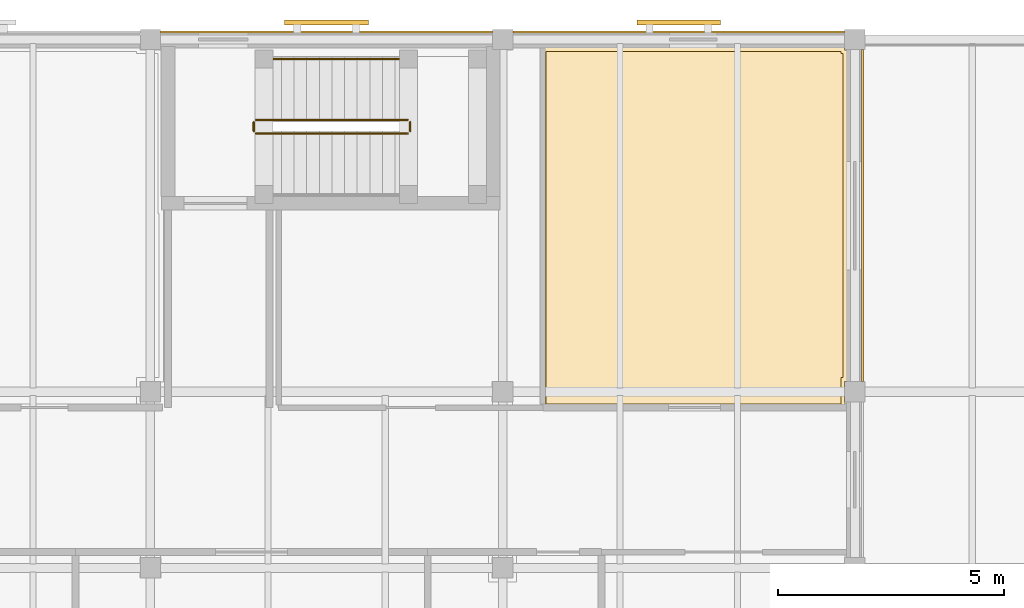
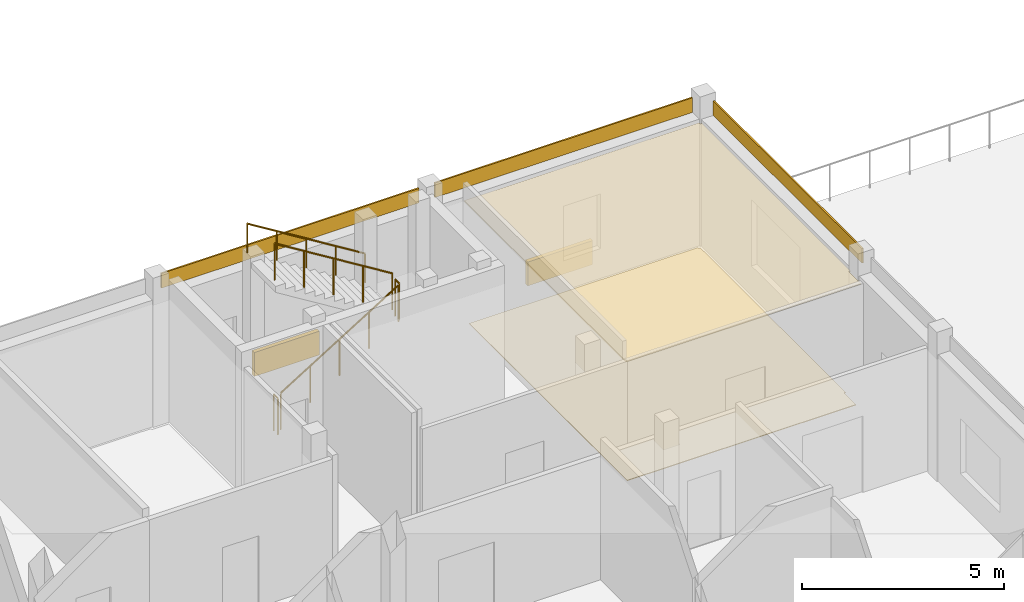
# One storey, part 44 of 45: 5 coverings, 5 railings, 2 shading devices.
"""IFC4 building model written with IfcOpenShell, lengths in metres."""

from ifc_helpers import new_model, si_unit, direction, frame, origin, origin_2d, place, context, subcontext, project, spatial, polyline, rectangle, circle, outline, extrude, material, layer, layer_set, type_object, element, save


model = new_model("IFC4")

# Units and contexts
model_context = context("Model", 3, precision=1e-05, world=origin(), true_north=direction((0.0, 1.0)))
body_context = subcontext(model_context, "Body", "Model", "MODEL_VIEW")
ifc_project = project(units=[si_unit("LENGTHUNIT", "METRE"), si_unit("AREAUNIT", "SQUARE_METRE"), si_unit("VOLUMEUNIT", "CUBIC_METRE"), si_unit("PLANEANGLEUNIT", "RADIAN"), si_unit("MASSUNIT", "GRAM", prefix="KILO")], contexts=[model_context])

# Site, building, storey
site_placement = place(None, origin())
site = spatial("IfcSite", under=ifc_project, at=site_placement, CompositionType="ELEMENT")
building_placement = place(site_placement, origin())
building = spatial("IfcBuilding", under=site, at=building_placement, Name="Celorna Specialist Clinic", CompositionType="ELEMENT")
storey_placement = place(building_placement, frame((0.0, 0.0, 18.60009765625)))
storey = spatial("IfcBuildingStorey", under=building, at=storey_placement, Name="L04", CompositionType="ELEMENT", Elevation=18.60009765625)

# Coverings
ifc_material_1 = material(Name="Hygienic acoustic mineral-fibre ceiling")
ifc_layer_1 = layer(ifc_material_1, 0.030029296875, Name="Hygienic acoustic mineral-fibre ceiling")
ifc_layer_set_1 = layer_set([ifc_layer_1], Name="Hygienic acoustic mineral-fibre ceiling")
covering_type_1 = type_object("IfcCoveringType", Name="CE-01", PredefinedType="CEILING", material=ifc_layer_set_1)
covering_1_placement = place(storey_placement, frame((0.0, 0.0, 3.669921875)))
element("IfcCovering", 1, at=covering_1_placement, inside=storey, type_object=covering_type_1, Name="Acoustic ceiling L04-020", PredefinedType="CEILING", context=body_context, shape_type="SweptSolid", body=[
    extrude(outline(polyline([(93.3701171875, 115.824951171875), (93.3701171875, 115.77001953125), (93.425048828125, 115.77001953125), (93.425048828125, 108.429931640625), (93.3701171875, 108.429931640625), (93.3701171875, 107.969970703125), (93.3798828125, 107.969970703125), (93.3798828125, 107.8349609375), (86.675048828125, 107.8349609375), (86.675048828125, 115.824951171875), (93.3701171875, 115.824951171875)])), origin(), (0.0, 0.0, 1.0), 0.030029296875),
])
ifc_material_2 = material(Name="Pero Pinheiro Lioz limestone rainscreen cladding", Category="masonry")
ifc_layer_2 = layer(ifc_material_2, 0.044921875, Name="Pero Pinheiro Lioz limestone rainscreen cladding")
ifc_layer_set_2 = layer_set([ifc_layer_2], Name="Pero Pinheiro Lioz limestone rainscreen cladding")
covering_type_2 = type_object("IfcCoveringType", Name="CL-01", PredefinedType="CLADDING", material=ifc_layer_set_2)
for number, where, z_axis, x_axis, name in (
    (2, (81.89990234375, 116.16748046875, 3.81982421875), (0.0, 0.0, 1.0), (1.0, 0.0, 0.0), "Lioz spandrel cladding #278"),
    (3, (89.699951171875, 116.16748046875, 3.81982421875), (0.0, 0.0, 1.0), (1.0, 0.0, 0.0), "Lioz spandrel cladding #279"),
    (4, (93.767578125, 112.10009765625, 3.81982421875), (0.0, 0.0, 1.0), (0.0, -1.0, 0.0), "Lioz spandrel cladding #285"),
):
    element("IfcCovering", number, at=place(storey_placement, frame(where, z_axis=z_axis, x_axis=x_axis)), inside=storey, type_object=covering_type_2, Name=name, PredefinedType="CLADDING", context=body_context, shape_type="SweptSolid", body=[
        extrude(rectangle(XDim=7.35009765625, YDim=0.044921875, at=origin_2d()), origin(), (0.0, 0.0, 1.0), 0.43994140625),
    ])
ifc_material_3 = material(Name="Seamless antimicrobial clinical vinyl and Lioz terrazzo flooring")
ifc_layer_3 = layer(ifc_material_3, 0.02001953125, Name="Seamless antimicrobial clinical vinyl and Lioz terrazzo flooring")
ifc_layer_set_3 = layer_set([ifc_layer_3], Name="Seamless antimicrobial clinical vinyl and Lioz terrazzo flooring")
covering_type_3 = type_object("IfcCoveringType", Name="FL-01", PredefinedType="FLOORING", material=ifc_layer_set_3)
covering_2_placement = place(storey_placement, origin())
element("IfcCovering", 5, at=covering_2_placement, inside=storey, type_object=covering_type_3, Name="Antimicrobial clinical flooring L04-020", PredefinedType="FLOORING", context=body_context, shape_type="SweptSolid", body=[
    extrude(outline(polyline([(86.764892578125, 115.735107421875), (93.2900390625, 115.735107421875), (93.2900390625, 115.68994140625), (93.3349609375, 115.68994140625), (93.3349609375, 108.510009765625), (93.2900390625, 108.510009765625), (93.2900390625, 107.925048828125), (86.764892578125, 107.925048828125), (86.764892578125, 115.735107421875)])), origin(), (0.0, 0.0, 1.0), 0.02001953125),
])

# Railings
ifc_material_4 = material(Name="Powder-coated steel S355", Category="steel")
railing_type_1 = type_object("IfcRailingType", Name="GR-01", PredefinedType="GUARDRAIL", material=ifc_material_4)
railing_1_placement = place(storey_placement, frame((80.340087890625, 113.919921875, 0.173095703125)))
element("IfcRailing", 6, at=railing_1_placement, inside=storey, type_object=railing_type_1, Name="L04 ST-02 stair guard 1", PredefinedType="GUARDRAIL", context=body_context, shape_type="SweptSolid", body=[
    extrude(circle(Radius=0.02392578125, at=origin_2d()), frame((0.0, 0.0, 1.09619140625), z_axis=(0.850606129759, 0.0, 0.525803396734), x_axis=(0.0, 1.0, 0.0)), (0.0, 0.0, 1.0), 3.949951171875),
    extrude(circle(Radius=0.02099609375, at=origin_2d()), origin(), (0.0, 0.0, 1.0), 1.072021484375),
    extrude(circle(Radius=0.02099609375, at=origin_2d()), frame((0.83984375, 0.0, 0.519287109375)), (0.0, 0.0, 1.0), 1.072021484375),
    extrude(circle(Radius=0.02099609375, at=origin_2d()), frame((1.679931640625, 0.0, 1.03857421875)), (0.0, 0.0, 1.0), 1.072021484375),
    extrude(circle(Radius=0.02099609375, at=origin_2d()), frame((2.52001953125, 0.0, 1.5576171875)), (0.0, 0.0, 1.0), 1.072021484375),
    extrude(circle(Radius=0.02099609375, at=origin_2d()), frame((3.35986328125, 0.0, 2.076904296875)), (0.0, 0.0, 1.0), 1.072021484375),
])
railing_2_placement = place(storey_placement, frame((83.75, 113.969970703125, 2.25)))
element("IfcRailing", 7, at=railing_2_placement, inside=storey, type_object=railing_type_1, Name="L04 ST-02 stair guard 2", PredefinedType="GUARDRAIL", context=body_context, shape_type="SweptSolid", body=[
    extrude(circle(Radius=0.02392578125, at=origin_2d()), frame((0.0, 0.0, 1.09619140625), z_axis=(0.0, 1.0, 0.0), x_axis=(-1.0, 0.0, 0.0)), (0.0, 0.0, 1.0), 0.199951171875),
    extrude(circle(Radius=0.02099609375, at=origin_2d()), origin(), (0.0, 0.0, 1.0), 1.072021484375),
    extrude(circle(Radius=0.02099609375, at=origin_2d()), frame((0.0, 0.199951171875, 0.0)), (0.0, 0.0, 1.0), 1.072021484375),
])
railing_3_placement = place(storey_placement, frame((83.699951171875, 114.219970703125, 2.423095703125)))
element("IfcRailing", 8, at=railing_3_placement, inside=storey, type_object=railing_type_1, Name="L04 ST-02 stair guard 3", PredefinedType="GUARDRAIL", context=body_context, shape_type="SweptSolid", body=[
    extrude(circle(Radius=0.02392578125, at=origin_2d()), frame((0.0, 0.0, 1.09619140625), z_axis=(-0.850606129759, 0.0, 0.525803396734), x_axis=(0.0, -1.0, 0.0)), (0.0, 0.0, 1.0), 3.949951171875),
    extrude(circle(Radius=0.02099609375, at=origin_2d()), origin(), (0.0, 0.0, 1.0), 1.072021484375),
    extrude(circle(Radius=0.02099609375, at=origin_2d()), frame((-0.83984375, 0.0, 0.519287109375)), (0.0, 0.0, 1.0), 1.072021484375),
    extrude(circle(Radius=0.02099609375, at=origin_2d()), frame((-1.679931640625, 0.0, 1.03857421875)), (0.0, 0.0, 1.0), 1.072021484375),
    extrude(circle(Radius=0.02099609375, at=origin_2d()), frame((-2.52001953125, 0.0, 1.5576171875)), (0.0, 0.0, 1.0), 1.072021484375),
    extrude(circle(Radius=0.02099609375, at=origin_2d()), frame((-3.35986328125, 0.0, 2.076904296875)), (0.0, 0.0, 1.0), 1.072021484375),
])
railing_4_placement = place(storey_placement, frame((80.2900390625, 113.969970703125, 0.0)))
element("IfcRailing", 9, at=railing_4_placement, inside=storey, type_object=railing_type_1, Name="L04 ST-02 stair guard 4", PredefinedType="GUARDRAIL", context=body_context, shape_type="SweptSolid", body=[
    extrude(circle(Radius=0.02392578125, at=origin_2d()), frame((0.0, 0.0, 1.09619140625), z_axis=(0.0, 1.0, 0.0), x_axis=(-1.0, 0.0, 0.0)), (0.0, 0.0, 1.0), 0.199951171875),
    extrude(circle(Radius=0.02099609375, at=origin_2d()), origin(), (0.0, 0.0, 1.0), 1.072021484375),
    extrude(circle(Radius=0.02099609375, at=origin_2d()), frame((0.0, 0.199951171875, 0.0)), (0.0, 0.0, 1.0), 1.072021484375),
])
ifc_material_5 = material(Name="Brushed stainless steel handrail", Category="steel")
railing_type_2 = type_object("IfcRailingType", Name="HR-01", PredefinedType="HANDRAIL", material=ifc_material_5)
railing_5_placement = place(storey_placement, frame((83.699951171875, 115.570068359375, 2.423095703125)))
element("IfcRailing", 10, at=railing_5_placement, inside=storey, type_object=railing_type_2, Name="L04 ST-02 stair handrail 2", PredefinedType="HANDRAIL", context=body_context, shape_type="SweptSolid", body=[
    extrude(circle(Radius=0.02392578125, at=origin_2d()), frame((0.0, 0.0, 0.8759765625), z_axis=(-0.850606129759, 0.0, 0.525803396734), x_axis=(0.0, -1.0, 0.0)), (0.0, 0.0, 1.0), 3.949951171875),
    extrude(circle(Radius=0.02099609375, at=origin_2d()), origin(), (0.0, 0.0, 1.0), 0.851806640625),
    extrude(circle(Radius=0.02099609375, at=origin_2d()), frame((-0.83984375, 0.0, 0.519287109375)), (0.0, 0.0, 1.0), 0.851806640625),
    extrude(circle(Radius=0.02099609375, at=origin_2d()), frame((-1.679931640625, 0.0, 1.03857421875)), (0.0, 0.0, 1.0), 0.851806640625),
    extrude(circle(Radius=0.02099609375, at=origin_2d()), frame((-2.52001953125, 0.0, 1.5576171875)), (0.0, 0.0, 1.0), 0.851806640625),
    extrude(circle(Radius=0.02099609375, at=origin_2d()), frame((-3.35986328125, 0.0, 2.076904296875)), (0.0, 0.0, 1.0), 0.851806640625),
])

# Shading devices
ifc_material_6 = material(Name="Perforated terracotta brick weave screen", Category="masonry")
ifc_layer_4 = layer(ifc_material_6, 0.114990234375, Name="Perforated terracotta brick weave screen")
ifc_layer_set_4 = layer_set([ifc_layer_4], Name="Perforated terracotta brick weave screen")
shading_device_type = type_object("IfcShadingDeviceType", Name="SCR-01", PredefinedType="USERDEFINED", material=ifc_layer_set_4)
for number, where, z_axis, x_axis, name in (
    (11, (81.89990234375, 116.375, 0.08984375), (0.0, 0.0, 1.0), (1.0, 0.0, 0.0), "Woven perforated terracotta brick screen #5"),
    (12, (89.699951171875, 116.375, 0.08984375), (0.0, 0.0, 1.0), (1.0, 0.0, 0.0), "Woven perforated terracotta brick screen #6"),
):
    element("IfcShadingDevice", number, at=place(storey_placement, frame(where, z_axis=z_axis, x_axis=x_axis)), inside=storey, type_object=shading_device_type, Name=name, ObjectType="SCREEN", PredefinedType="USERDEFINED", context=body_context, shape_type="SweptSolid", body=[
        extrude(rectangle(XDim=1.85009765625, YDim=0.114990234375, at=origin_2d()), origin(), (0.0, 0.0, 1.0), 0.719970703125),
    ])

save(model, "model.ifc")
